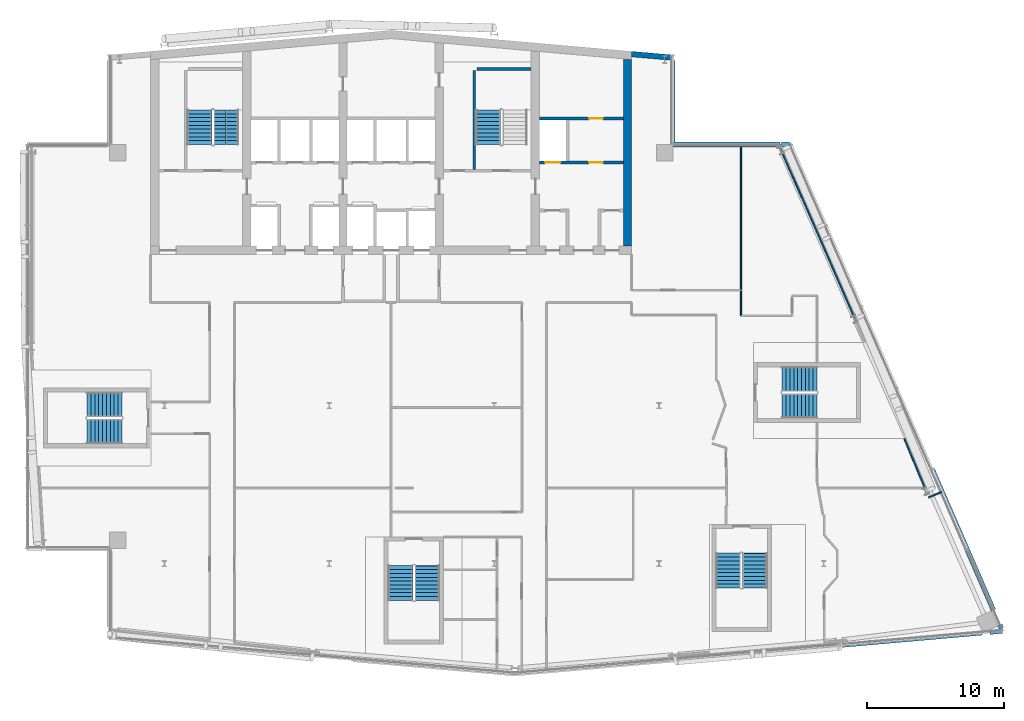
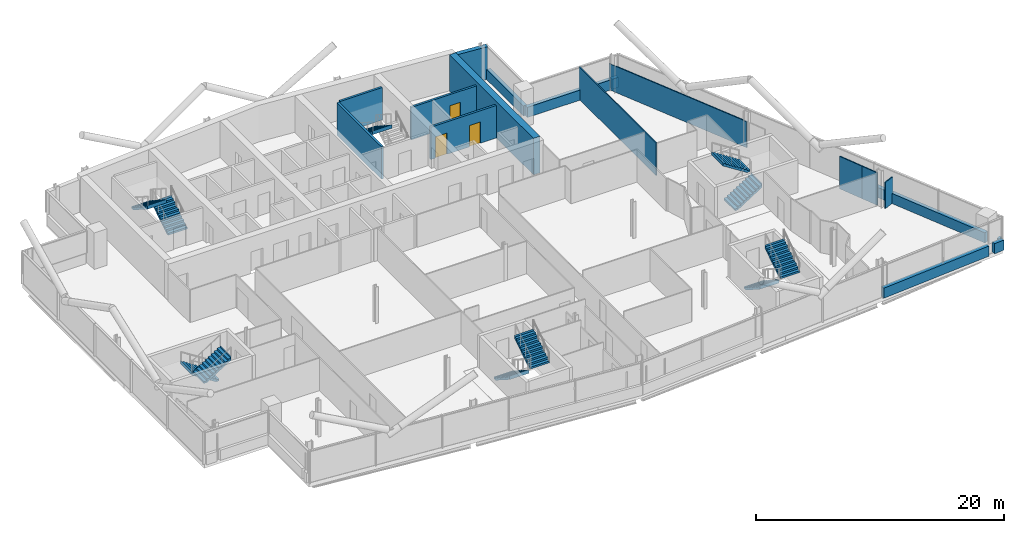
# One storey, part 20 of 28: 18 walls, 11 stair flights, 3 doors, 3 openings, 6 elements without a shape of their own.
"""IFC4 building model written with IfcOpenShell, lengths in metres."""

from ifc_helpers import new_model, si_unit, direction, frame, frame_2d, origin, place, context, subcontext, project, spatial, polyline, rectangle, outline, extrude, material, layer, layer_set, type_object, element, fill, aggregate, save


model = new_model("IFC4")

# Units and contexts
model_context = context("Model", 3, precision=1e-05, world=origin(), true_north=direction((0.0, 1.0)))
body_context = subcontext(model_context, "Body", "Model", "MODEL_VIEW")
ifc_project = project(units=[si_unit("LENGTHUNIT", "METRE"), si_unit("AREAUNIT", "SQUARE_METRE"), si_unit("VOLUMEUNIT", "CUBIC_METRE"), si_unit("PLANEANGLEUNIT", "RADIAN"), si_unit("MASSUNIT", "GRAM", prefix="KILO")], contexts=[model_context])

# Site, building, storey
site_placement = place(None, origin())
site = spatial("IfcSite", under=ifc_project, at=site_placement, CompositionType="ELEMENT")
building_placement = place(site_placement, origin())
building = spatial("IfcBuilding", under=site, at=building_placement, Name="Wharfspan Tower", CompositionType="ELEMENT")
storey_placement = place(building_placement, frame((0.0, 0.0, 253.899902)))
storey = spatial("IfcBuildingStorey", under=building, at=storey_placement, Name="L64", CompositionType="ELEMENT", Elevation=253.899902)

# Walls
ifc_material_1 = material(Name="Gypsum board on steel studs", Category="steel")
ifc_layer_1 = layer(ifc_material_1, 0.100098)
ifc_layer_set_1 = layer_set([ifc_layer_1], Name="Gypsum board on steel studs")
wall_type_1 = type_object("IfcWallType", Name="Compartment wall 100 EI 60", PredefinedType="PARTITIONING", material=ifc_layer_set_1)
wall_1_placement = place(storey_placement, frame((65.969971, 29.544922, 0.0), z_axis=(0.0, 0.0, 1.0), x_axis=(0.0, 1.0, 0.0)))
element("IfcWall", 1, at=wall_1_placement, inside=storey, type_object=wall_type_1, Name="Partition L64.w050", PredefinedType="PARTITIONING", context=body_context, shape_type="SweptSolid", body=[
    extrude(rectangle(XDim=12.435059, YDim=0.100098, at=frame_2d((6.217529, 0.0))), origin(), (0.0, 0.0, 1.0), 3.200195),
])
ifc_material_2 = material(Name="Concrete C50/60", Category="concrete")
ifc_layer_2 = layer(ifc_material_2, 0.600098)
ifc_layer_set_2 = layer_set([ifc_layer_2], Name="Concrete C50/60")
wall_type_2 = type_object("IfcWallType", Name="Core wall 600 C50/60", PredefinedType="SHEAR", material=ifc_layer_set_2)
wall_2_placement = place(storey_placement, frame((57.699951, 34.600098, 0.0), z_axis=(0.0, 0.0, 1.0), x_axis=(0.0, 1.0, 0.0)))
element("IfcWall", 2, at=wall_2_placement, inside=storey, type_object=wall_type_2, Name="Core cross wall EW1 L64", PredefinedType="SHEAR", context=body_context, shape_type="SweptSolid", body=[
    extrude(rectangle(XDim=13.584961, YDim=0.600098, at=frame_2d((6.79248, 0.0))), origin(), (0.0, 0.0, 1.0), 3.600098),
])

# Wall, openings, doors
ifc_material_3 = material(Name="Concrete C30/37", Category="concrete")
ifc_layer_3 = layer(ifc_material_3, 0.199951)
ifc_layer_set_3 = layer_set([ifc_layer_3], Name="Concrete C30/37")
wall_type_3 = type_object("IfcWallType", Name="Lift shaft wall 200", PredefinedType="PARTITIONING", material=ifc_layer_set_3)
wall_3_placement = place(storey_placement, frame((51.300049, 40.699951, 0.0), z_axis=(0.0, 0.0, 1.0), x_axis=(1.0, 0.0, 0.0)))
wall_3 = element("IfcWall", 3, at=wall_3_placement, inside=storey, type_object=wall_type_3, Name="sw:L64:RF6", PredefinedType="PARTITIONING", context=body_context, shape_type="SweptSolid", body=[
    extrude(rectangle(XDim=6.099854, YDim=0.199951, at=frame_2d((3.049805, 0.0))), origin(), (0.0, 0.0, 1.0), 3.200195),
])
opening_1_placement = place(wall_3_placement, frame((0.416748, 0.0, 0.0)))
opening_1 = element("IfcOpeningElement", 4, at=opening_1_placement, cuts=wall_3, Name="Opening LD.LB8.L64", PredefinedType="OPENING", context=body_context, shape_type="SweptSolid", body=[
    extrude(rectangle(XDim=1.100098, YDim=2.100098, at=frame_2d((0.550049, 1.050049))), frame((0.0, 0.109863, 0.0), z_axis=(0.0, -1.0, 0.0), x_axis=(1.0, 0.0, 0.0)), (0.0, 0.0, 1.0), 0.219971),
])
opening_2_placement = place(wall_3_placement, frame((3.616699, 0.0, 0.0)))
opening_2 = element("IfcOpeningElement", 5, at=opening_2_placement, cuts=wall_3, Name="Opening CD64.6R2", PredefinedType="OPENING", context=body_context, shape_type="SweptSolid", body=[
    extrude(rectangle(XDim=1.0, YDim=2.100098, at=frame_2d((0.5, 1.050049))), frame((0.0, 0.109863, 0.0), z_axis=(0.0, -1.0, 0.0), x_axis=(1.0, 0.0, 0.0)), (0.0, 0.0, 1.0), 0.219971),
])
ifc_material_4 = material(Name="Steel door leaf", Category="steel")
door_type_1 = type_object("IfcDoorType", Name="Core room door 1000x2100", OperationType="SINGLE_SWING_LEFT", PredefinedType="DOOR", material=ifc_material_4)
door_1_placement = place(opening_2_placement, origin())
door_1 = element("IfcDoor", 6, at=door_1_placement, inside=storey, type_object=door_type_1, Name="d:L64:6:rd6.2", OperationType="SINGLE_SWING_RIGHT", OverallHeight=2.100098, OverallWidth=1.0, PredefinedType="DOOR", context=body_context, shape_type="SweptSolid", body=[
    extrude(rectangle(XDim=1.0, YDim=2.100098, at=frame_2d((0.5, 1.050049))), frame((0.0, 0.024902, 0.0), z_axis=(0.0, -1.0, 0.0), x_axis=(1.0, 0.0, 0.0)), (0.0, 0.0, 1.0), 0.050049),
])
fill(opening_2, door_1)
ifc_material_5 = material(Name="Stainless steel", Category="steel")
door_type_2 = type_object("IfcDoorType", Name="Lift landing door 1100x2100", OperationType="DOUBLE_DOOR_SLIDING", PredefinedType="DOOR", material=ifc_material_5)
door_2_placement = place(opening_1_placement, origin())
door_2 = element("IfcDoor", 7, at=door_2_placement, inside=storey, type_object=door_type_2, Name="Landing door LB8 L64", OperationType="DOUBLE_DOOR_SLIDING", OverallHeight=2.100098, OverallWidth=1.100098, PredefinedType="DOOR", context=body_context, shape_type="SweptSolid", body=[
    extrude(rectangle(XDim=1.100098, YDim=2.100098, at=frame_2d((0.550049, 1.050049))), frame((0.0, 0.024902, 0.0), z_axis=(0.0, -1.0, 0.0), x_axis=(1.0, 0.0, 0.0)), (0.0, 0.0, 1.0), 0.050049),
])
fill(opening_1, door_2)

# Wall, opening, door
wall_4_placement = place(storey_placement, frame((51.300049, 43.899902, 0.0), z_axis=(0.0, 0.0, 1.0), x_axis=(1.0, 0.0, 0.0)))
wall_4 = element("IfcWall", 8, at=wall_4_placement, inside=storey, type_object=wall_type_3, Name="sw:L64:RR6", PredefinedType="PARTITIONING", context=body_context, shape_type="SweptSolid", body=[
    extrude(rectangle(XDim=6.099854, YDim=0.199951, at=frame_2d((3.049805, 0.0))), origin(), (0.0, 0.0, 1.0), 3.200195),
])
opening_3_placement = place(wall_4_placement, frame((3.616699, 0.0, 0.0)))
opening_3 = element("IfcOpeningElement", 9, at=opening_3_placement, cuts=wall_4, Name="Opening CD64.6S2", PredefinedType="OPENING", context=body_context, shape_type="SweptSolid", body=[
    extrude(rectangle(XDim=1.0, YDim=2.100098, at=frame_2d((0.5, 1.050049))), frame((0.0, 0.109863, 0.0), z_axis=(0.0, -1.0, 0.0), x_axis=(1.0, 0.0, 0.0)), (0.0, 0.0, 1.0), 0.219971),
])
door_3_placement = place(opening_3_placement, origin())
door_3 = element("IfcDoor", 10, at=door_3_placement, inside=storey, type_object=door_type_1, Name="d:L64:6:rs6.2", OperationType="SINGLE_SWING_LEFT", OverallHeight=2.100098, OverallWidth=1.0, PredefinedType="DOOR", context=body_context, shape_type="SweptSolid", body=[
    extrude(rectangle(XDim=1.0, YDim=2.100098, at=frame_2d((0.5, 1.050049))), frame((0.0, 0.024902, 0.0), z_axis=(0.0, -1.0, 0.0), x_axis=(1.0, 0.0, 0.0)), (0.0, 0.0, 1.0), 0.050049),
])
fill(opening_3, door_3)

# Walls
ifc_layer_4 = layer(ifc_material_1, 0.100098)
ifc_layer_set_4 = layer_set([ifc_layer_4], Name="Gypsum board on steel studs")
wall_type_4 = type_object("IfcWallType", Name="Partition 100", PredefinedType="PARTITIONING", material=ifc_layer_set_4)
wall_5_placement = place(storey_placement, frame((74.264893, 29.310059, 0.0), z_axis=(0.0, 0.0, 1.0), x_axis=(-0.400709, 0.916209, 0.0)))
element("IfcWall", 11, at=wall_5_placement, inside=storey, type_object=wall_type_4, Name="Partition L64.w066", PredefinedType="PARTITIONING", context=body_context, shape_type="SweptSolid", body=[
    extrude(rectangle(XDim=13.828613, YDim=0.100098, at=frame_2d((6.914307, 0.0))), origin(), (0.0, 0.0, 1.0), 2.580078),
])
wall_6_placement = place(storey_placement, frame((78.75, 18.445068, 0.0), z_axis=(0.0, 0.0, 1.0), x_axis=(-0.381663, 0.924299, 0.0)))
element("IfcWall", 12, at=wall_6_placement, inside=storey, type_object=wall_type_4, Name="Partition L64.w068", PredefinedType="PARTITIONING", context=body_context, shape_type="SweptSolid", body=[
    extrude(rectangle(XDim=2.309814, YDim=0.100098, at=frame_2d((1.154785, 0.0))), origin(), (0.0, 0.0, 1.0), 3.200195),
])
wall_7_placement = place(storey_placement, frame((79.350098, 17.004883, 0.0), z_axis=(0.0, 0.0, 1.0), x_axis=(-0.383703, 0.923459, 0.0)))
element("IfcWall", 13, at=wall_7_placement, inside=storey, type_object=wall_type_4, Name="Partition L64.w069", PredefinedType="PARTITIONING", context=body_context, shape_type="SweptSolid", body=[
    extrude(rectangle(XDim=1.537842, YDim=0.100098, at=frame_2d((0.769043, 0.0))), origin(), (0.0, 0.0, 1.0), 3.200195),
])
wall_8_placement = place(storey_placement, frame((79.629883, 16.314941, 0.0), z_axis=(0.0, 0.0, 1.0), x_axis=(0.918616, 0.395147, 0.0)))
element("IfcWall", 14, at=wall_8_placement, inside=storey, type_object=wall_type_4, Name="Partition L64.w070", PredefinedType="PARTITIONING", context=body_context, shape_type="SweptSolid", body=[
    extrude(rectangle(XDim=1.03125, YDim=0.100098, at=frame_2d((0.515625, 0.0))), origin(), (0.0, 0.0, 1.0), 2.580078),
])
ifc_material_6 = material(Name="Concrete C40/50", Category="concrete")
ifc_layer_5 = layer(ifc_material_6, 0.350098)
ifc_layer_set_5 = layer_set([ifc_layer_5], Name="Concrete C40/50")
wall_type_5 = type_object("IfcWallType", Name="SPANDREL EXPOSED CONCRETE 350", PredefinedType="SOLIDWALL", material=ifc_layer_set_5)
wall_9_placement = place(storey_placement, frame((73.197021, 5.562256, 0.0), z_axis=(0.0, 0.0, 1.0), x_axis=(0.996198, 0.087163, 0.0)))
element("IfcWall", 15, at=wall_9_placement, inside=storey, type_object=wall_type_5, Name="Spandrel upstand L64 S2 2", PredefinedType="SOLIDWALL", context=body_context, shape_type="SweptSolid", body=[
    extrude(rectangle(XDim=10.35791, YDim=0.350098, at=frame_2d((5.178955, 0.0))), origin(), (0.0, 0.0, 1.0), 1.0),
])
wall_10_placement = place(storey_placement, frame((84.077637, 6.514404, 0.0), z_axis=(0.0, 0.0, 1.0), x_axis=(0.996213, 0.086971, 0.0)))
element("IfcWall", 16, at=wall_10_placement, inside=storey, type_object=wall_type_5, Name="Spandrel upstand L64 S2 3", PredefinedType="SOLIDWALL", context=body_context, shape_type="SweptSolid", body=[
    extrude(rectangle(XDim=0.92627, YDim=0.350098, at=frame_2d((0.463135, 0.0))), origin(), (0.0, 0.0, 1.0), 1.0),
])
wall_11_placement = place(storey_placement, frame((84.9104, 6.818604, 0.0), z_axis=(0.0, 0.0, 1.0), x_axis=(-0.398359, 0.91723, 0.0)))
element("IfcWall", 17, at=wall_11_placement, inside=storey, type_object=wall_type_5, Name="Spandrel upstand L64 E", PredefinedType="SOLIDWALL", context=body_context, shape_type="SweptSolid", body=[
    extrude(rectangle(XDim=0.21875, YDim=0.350098, at=frame_2d((0.109375, 0.0))), origin(), (0.0, 0.0, 1.0), 1.0),
])
wall_12_placement = place(storey_placement, frame((84.344727, 8.119873, 0.0), z_axis=(0.0, 0.0, 1.0), x_axis=(-0.398721, 0.917067, 0.0)))
element("IfcWall", 18, at=wall_12_placement, inside=storey, type_object=wall_type_5, Name="Spandrel upstand L64 E 2", PredefinedType="SOLIDWALL", context=body_context, shape_type="SweptSolid", body=[
    extrude(rectangle(XDim=11.181885, YDim=0.350098, at=frame_2d((5.59082, 0.0))), origin(), (0.0, 0.0, 1.0), 1.0),
])
wall_13_placement = place(storey_placement, frame((69.498535, 42.004883, 0.0), z_axis=(0.0, 0.0, 1.0), x_axis=(-1.0, 0.0, 0.0)))
element("IfcWall", 19, at=wall_13_placement, inside=storey, type_object=wall_type_5, Name="Spandrel upstand L64 NRE-H", PredefinedType="SOLIDWALL", context=body_context, shape_type="SweptSolid", body=[
    extrude(rectangle(XDim=0.57666, YDim=0.350098, at=frame_2d((0.28833, 0.0))), origin(), (0.0, 0.0, 1.0), 1.0),
])
wall_14_placement = place(storey_placement, frame((68.803467, 42.004883, 0.0), z_axis=(0.0, 0.0, 1.0), x_axis=(-1.0, 0.0, 0.0)))
element("IfcWall", 20, at=wall_14_placement, inside=storey, type_object=wall_type_5, Name="Spandrel upstand L64 NRE-H 2", PredefinedType="SOLIDWALL", context=body_context, shape_type="SweptSolid", body=[
    extrude(rectangle(XDim=7.803467, YDim=0.350098, at=frame_2d((3.901855, 0.0))), origin(), (0.0, 0.0, 1.0), 1.0),
])
wall_15_placement = place(storey_placement, frame((61.004883, 42.179932, 0.0), z_axis=(0.0, 0.0, 1.0), x_axis=(0.0, 1.0, 0.0)))
element("IfcWall", 21, at=wall_15_placement, inside=storey, type_object=wall_type_5, Name="Spandrel upstand L64 NRE-V", PredefinedType="SOLIDWALL", context=body_context, shape_type="SweptSolid", body=[
    extrude(rectangle(XDim=5.946533, YDim=0.350098, at=frame_2d((2.973145, 0.0))), origin(), (0.0, 0.0, 1.0), 1.0),
])
ifc_layer_6 = layer(ifc_material_6, 0.199951)
ifc_layer_set_6 = layer_set([ifc_layer_6], Name="Concrete C40/50")
wall_type_6 = type_object("IfcWallType", Name="Stair shaft wall 200", PredefinedType="SHEAR", material=ifc_layer_set_6)
wall_16_placement = place(storey_placement, frame((46.550049, 40.199951, 0.0), z_axis=(0.0, 0.0, 1.0), x_axis=(0.0, 1.0, 0.0)))
element("IfcWall", 22, at=wall_16_placement, inside=storey, type_object=wall_type_6, Name="ST2 stair enclosure wall L64", PredefinedType="SHEAR", context=body_context, shape_type="SweptSolid", body=[
    extrude(rectangle(XDim=7.199951, YDim=0.199951, at=frame_2d((3.600098, 0.0))), origin(), (0.0, 0.0, 1.0), 3.200195),
])
wall_17_placement = place(storey_placement, frame((46.75, 47.5, 0.0), z_axis=(0.0, 0.0, 1.0), x_axis=(1.0, 0.0, 0.0)))
element("IfcWall", 23, at=wall_17_placement, inside=storey, type_object=wall_type_6, Name="ST2 stair enclosure wall L64", PredefinedType="SHEAR", context=body_context, shape_type="SweptSolid", body=[
    extrude(rectangle(XDim=3.949951, YDim=0.199951, at=frame_2d((1.975098, 0.0))), origin(), (0.0, 0.0, 1.0), 3.200195),
])
ifc_layer_7 = layer(ifc_material_6, 0.399902)
ifc_layer_set_7 = layer_set([ifc_layer_7], Name="Concrete C40/50")
wall_type_7 = type_object("IfcWallType", Name="WALL EXPOSED CONCRETE 400", PredefinedType="SOLIDWALL", material=ifc_layer_set_7)
wall_18_placement = place(storey_placement, frame((60.982666, 48.325684, 0.0), z_axis=(0.0, 0.0, 1.0), x_axis=(-0.996194, 0.087168, 0.0)))
element("IfcWall", 24, at=wall_18_placement, inside=storey, type_object=wall_type_7, Name="Rear wall N2", PredefinedType="SOLIDWALL", context=body_context, shape_type="SweptSolid", body=[
    extrude(rectangle(XDim=2.994141, YDim=0.399902, at=frame_2d((1.49707, 0.0))), origin(), (0.0, 0.0, 1.0), 3.200195),
])

# Stair, stair flights
stair_type = type_object("IfcStairType", Name="Half-turn stair 20 risers 180 mm", PredefinedType="HALF_TURN_STAIR", material=ifc_material_6)
stair_1_placement = place(storey_placement, origin())
stair_1 = element("IfcStair", 25, at=stair_1_placement, inside=storey, type_object=stair_type, Name="L64 stair ST1", PredefinedType="HALF_TURN_STAIR")
stair_flight_type = type_object("IfcStairFlightType", Name="Stair flight 20 risers 180 mm", PredefinedType="STRAIGHT", material=ifc_material_6)
stair_flight_1_placement = place(storey_placement, frame((28.5, 42.0, 0.0), z_axis=(0.0, 0.0, 1.0), x_axis=(0.0, 1.0, 0.0)))
stair_flight_1 = element("IfcStairFlight", 26, at=stair_flight_1_placement, type_object=stair_flight_type, Name="ST1 flight 1", NumberOfRisers=10, NumberOfTreads=9, PredefinedType="STRAIGHT", RiserHeight=0.18, TreadLength=0.28, context=body_context, shape_type="SweptSolid", body=[
    extrude(outline(polyline([(-0.011963, 0.0), (-0.011963, 0.179932), (0.0, 0.179932), (0.280029, 0.179932), (0.280029, 0.360107), (0.560059, 0.360107), (0.560059, 0.540039), (0.840088, 0.540039), (0.840088, 0.719971), (1.120117, 0.719971), (1.120117, 0.899902), (1.399902, 0.899902), (1.399902, 1.080078), (1.679932, 1.080078), (1.679932, 1.26001), (1.959961, 1.26001), (1.959961, 1.439941), (2.23999, 1.439941), (2.23999, 1.620117), (2.52002, 1.620117), (2.531982, 1.800049), (2.531982, 1.441895), (0.2771, 0.0), (-0.011963, 0.0)])), frame((0.0, 0.899902, 0.0), z_axis=(0.0, -1.0, 0.0), x_axis=(1.0, 0.0, 0.0)), (0.0, 0.0, 1.0), 0.899414),
    extrude(outline(polyline([(-0.011963, 0.0), (-0.011963, 0.179932), (0.0, 0.179932), (0.280029, 0.179932), (0.280029, 0.360107), (0.560059, 0.360107), (0.560059, 0.540039), (0.840088, 0.540039), (0.840088, 0.719971), (1.120117, 0.719971), (1.120117, 0.899902), (1.399902, 0.899902), (1.399902, 1.080078), (1.679932, 1.080078), (1.679932, 1.26001), (1.959961, 1.26001), (1.959961, 1.439941), (2.23999, 1.439941), (2.23999, 1.620117), (2.52002, 1.620117), (2.531982, 1.800049), (2.531982, 1.441895), (0.2771, 0.0), (-0.011963, 0.0)])), frame((0.0, -0.000488, 0.0), z_axis=(0.0, -1.0, 0.0), x_axis=(1.0, 0.0, 0.0)), (0.0, 0.0, 1.0), 0.899414),
])
stair_flight_2_placement = place(storey_placement, frame((26.550049, 44.52002, 1.800049), z_axis=(0.0, 0.0, 1.0), x_axis=(0.0, -1.0, 0.0)))
stair_flight_2 = element("IfcStairFlight", 27, at=stair_flight_2_placement, type_object=stair_flight_type, Name="ST1 flight 2", NumberOfRisers=10, NumberOfTreads=9, PredefinedType="STRAIGHT", RiserHeight=0.18, TreadLength=0.28, context=body_context, shape_type="SweptSolid", body=[
    extrude(outline(polyline([(-0.011963, 0.0), (-0.011963, 0.179932), (0.0, 0.179932), (0.280029, 0.179932), (0.280029, 0.360107), (0.560059, 0.360107), (0.560059, 0.540039), (0.840088, 0.540039), (0.840088, 0.719971), (1.120117, 0.719971), (1.120117, 0.899902), (1.399902, 0.899902), (1.399902, 1.080078), (1.679932, 1.080078), (1.679932, 1.26001), (1.959961, 1.26001), (1.959961, 1.439941), (2.23999, 1.439941), (2.23999, 1.620117), (2.52002, 1.620117), (2.531982, 1.800049), (2.531982, 1.441895), (0.2771, 0.0), (-0.011963, 0.0)])), frame((0.0, 0.899902, 0.0), z_axis=(0.0, -1.0, 0.0), x_axis=(1.0, 0.0, 0.0)), (0.0, 0.0, 1.0), 0.899414),
    extrude(outline(polyline([(-0.011963, 0.0), (-0.011963, 0.179932), (0.0, 0.179932), (0.280029, 0.179932), (0.280029, 0.360107), (0.560059, 0.360107), (0.560059, 0.540039), (0.840088, 0.540039), (0.840088, 0.719971), (1.120117, 0.719971), (1.120117, 0.899902), (1.399902, 0.899902), (1.399902, 1.080078), (1.679932, 1.080078), (1.679932, 1.26001), (1.959961, 1.26001), (1.959961, 1.439941), (2.23999, 1.439941), (2.23999, 1.620117), (2.52002, 1.620117), (2.531982, 1.800049), (2.531982, 1.441895), (0.2771, 0.0), (-0.011963, 0.0)])), frame((0.0, -0.000488, 0.0), z_axis=(0.0, -1.0, 0.0), x_axis=(1.0, 0.0, 0.0)), (0.0, 0.0, 1.0), 0.899414),
])
aggregate(stair_1, [stair_flight_1, stair_flight_2])

# Stair, stair flight
stair_2_placement = place(storey_placement, origin())
stair_2 = element("IfcStair", 28, at=stair_2_placement, inside=storey, type_object=stair_type, Name="L64 stair ST2", PredefinedType="HALF_TURN_STAIR")
stair_flight_3_placement = place(storey_placement, frame((47.550049, 44.52002, 1.800049), z_axis=(0.0, 0.0, 1.0), x_axis=(0.0, -1.0, 0.0)))
stair_flight_3 = element("IfcStairFlight", 29, at=stair_flight_3_placement, type_object=stair_flight_type, Name="ST2 flight 2", NumberOfRisers=10, NumberOfTreads=9, PredefinedType="STRAIGHT", RiserHeight=0.18, TreadLength=0.28, context=body_context, shape_type="SweptSolid", body=[
    extrude(outline(polyline([(-0.011963, 0.0), (-0.011963, 0.179932), (0.0, 0.179932), (0.280029, 0.179932), (0.280029, 0.360107), (0.560059, 0.360107), (0.560059, 0.540039), (0.840088, 0.540039), (0.840088, 0.719971), (1.120117, 0.719971), (1.120117, 0.899902), (1.399902, 0.899902), (1.399902, 1.080078), (1.679932, 1.080078), (1.679932, 1.26001), (1.959961, 1.26001), (1.959961, 1.439941), (2.23999, 1.439941), (2.23999, 1.620117), (2.52002, 1.620117), (2.531982, 1.800049), (2.531982, 1.441895), (0.2771, 0.0), (-0.011963, 0.0)])), frame((0.0, 0.899902, 0.0), z_axis=(0.0, -1.0, 0.0), x_axis=(1.0, 0.0, 0.0)), (0.0, 0.0, 1.0), 0.899414),
    extrude(outline(polyline([(-0.011963, 0.0), (-0.011963, 0.179932), (0.0, 0.179932), (0.280029, 0.179932), (0.280029, 0.360107), (0.560059, 0.360107), (0.560059, 0.540039), (0.840088, 0.540039), (0.840088, 0.719971), (1.120117, 0.719971), (1.120117, 0.899902), (1.399902, 0.899902), (1.399902, 1.080078), (1.679932, 1.080078), (1.679932, 1.26001), (1.959961, 1.26001), (1.959961, 1.439941), (2.23999, 1.439941), (2.23999, 1.620117), (2.52002, 1.620117), (2.531982, 1.800049), (2.531982, 1.441895), (0.2771, 0.0), (-0.011963, 0.0)])), frame((0.0, -0.000488, 0.0), z_axis=(0.0, -1.0, 0.0), x_axis=(1.0, 0.0, 0.0)), (0.0, 0.0, 1.0), 0.899414),
])
aggregate(stair_2, [stair_flight_3])

# Stair, stair flights
stair_3_placement = place(storey_placement, origin())
stair_3 = element("IfcStair", 30, at=stair_3_placement, inside=storey, type_object=stair_type, Name="L64 stair ST3", PredefinedType="HALF_TURN_STAIR")
stair_flight_4_placement = place(storey_placement, frame((20.899902, 23.074951, 0.0), z_axis=(0.0, 0.0, 1.0), x_axis=(-1.0, 0.0, 0.0)))
stair_flight_4 = element("IfcStairFlight", 31, at=stair_flight_4_placement, type_object=stair_flight_type, Name="ST3 flight 1", NumberOfRisers=10, NumberOfTreads=9, PredefinedType="STRAIGHT", RiserHeight=0.18, TreadLength=0.28, context=body_context, shape_type="SweptSolid", body=[
    extrude(outline(polyline([(-0.011963, 0.0), (-0.011963, 0.179932), (0.0, 0.179932), (0.280029, 0.179932), (0.280029, 0.360107), (0.560059, 0.360107), (0.560059, 0.540039), (0.840088, 0.540039), (0.840088, 0.719971), (1.120117, 0.719971), (1.120117, 0.899902), (1.399902, 0.899902), (1.399902, 1.080078), (1.679932, 1.080078), (1.679932, 1.26001), (1.959961, 1.26001), (1.959961, 1.439941), (2.23999, 1.439941), (2.23999, 1.620117), (2.52002, 1.620117), (2.531982, 1.800049), (2.531982, 1.441895), (0.2771, 0.0), (-0.011963, 0.0)])), frame((0.0, 0.899902, 0.0), z_axis=(0.0, -1.0, 0.0), x_axis=(1.0, 0.0, 0.0)), (0.0, 0.0, 1.0), 0.899414),
    extrude(outline(polyline([(-0.011963, 0.0), (-0.011963, 0.179932), (0.0, 0.179932), (0.280029, 0.179932), (0.280029, 0.360107), (0.560059, 0.360107), (0.560059, 0.540039), (0.840088, 0.540039), (0.840088, 0.719971), (1.120117, 0.719971), (1.120117, 0.899902), (1.399902, 0.899902), (1.399902, 1.080078), (1.679932, 1.080078), (1.679932, 1.26001), (1.959961, 1.26001), (1.959961, 1.439941), (2.23999, 1.439941), (2.23999, 1.620117), (2.52002, 1.620117), (2.531982, 1.800049), (2.531982, 1.441895), (0.2771, 0.0), (-0.011963, 0.0)])), frame((0.0, -0.000488, 0.0), z_axis=(0.0, -1.0, 0.0), x_axis=(1.0, 0.0, 0.0)), (0.0, 0.0, 1.0), 0.899414),
])
stair_flight_5_placement = place(storey_placement, frame((18.379883, 21.125, 1.800049), z_axis=(0.0, 0.0, 1.0), x_axis=(1.0, 0.0, 0.0)))
stair_flight_5 = element("IfcStairFlight", 32, at=stair_flight_5_placement, type_object=stair_flight_type, Name="ST3 flight 2", NumberOfRisers=10, NumberOfTreads=9, PredefinedType="STRAIGHT", RiserHeight=0.18, TreadLength=0.28, context=body_context, shape_type="SweptSolid", body=[
    extrude(outline(polyline([(-0.011963, 0.0), (-0.011963, 0.179932), (0.0, 0.179932), (0.280029, 0.179932), (0.280029, 0.360107), (0.560059, 0.360107), (0.560059, 0.540039), (0.840088, 0.540039), (0.840088, 0.719971), (1.120117, 0.719971), (1.120117, 0.899902), (1.399902, 0.899902), (1.399902, 1.080078), (1.679932, 1.080078), (1.679932, 1.26001), (1.959961, 1.26001), (1.959961, 1.439941), (2.23999, 1.439941), (2.23999, 1.620117), (2.52002, 1.620117), (2.531982, 1.800049), (2.531982, 1.441895), (0.2771, 0.0), (-0.011963, 0.0)])), frame((0.0, 0.899902, 0.0), z_axis=(0.0, -1.0, 0.0), x_axis=(1.0, 0.0, 0.0)), (0.0, 0.0, 1.0), 0.899414),
    extrude(outline(polyline([(-0.011963, 0.0), (-0.011963, 0.179932), (0.0, 0.179932), (0.280029, 0.179932), (0.280029, 0.360107), (0.560059, 0.360107), (0.560059, 0.540039), (0.840088, 0.540039), (0.840088, 0.719971), (1.120117, 0.719971), (1.120117, 0.899902), (1.399902, 0.899902), (1.399902, 1.080078), (1.679932, 1.080078), (1.679932, 1.26001), (1.959961, 1.26001), (1.959961, 1.439941), (2.23999, 1.439941), (2.23999, 1.620117), (2.52002, 1.620117), (2.531982, 1.800049), (2.531982, 1.441895), (0.2771, 0.0), (-0.011963, 0.0)])), frame((0.0, -0.000488, 0.0), z_axis=(0.0, -1.0, 0.0), x_axis=(1.0, 0.0, 0.0)), (0.0, 0.0, 1.0), 0.899414),
])
aggregate(stair_3, [stair_flight_4, stair_flight_5])

stair_4_placement = place(storey_placement, origin())
stair_4 = element("IfcStair", 33, at=stair_4_placement, inside=storey, type_object=stair_type, Name="L64 stair ST4", PredefinedType="HALF_TURN_STAIR")
stair_flight_6_placement = place(storey_placement, frame((41.177002, 11.343262, 0.0), z_axis=(0.0, 0.0, 1.0), x_axis=(0.0, -1.0, 0.0)))
stair_flight_6 = element("IfcStairFlight", 34, at=stair_flight_6_placement, type_object=stair_flight_type, Name="ST4 flight 1", NumberOfRisers=10, NumberOfTreads=9, PredefinedType="STRAIGHT", RiserHeight=0.18, TreadLength=0.28, context=body_context, shape_type="SweptSolid", body=[
    extrude(outline(polyline([(-0.011963, 0.0), (-0.011963, 0.179932), (0.0, 0.179932), (0.280029, 0.179932), (0.280029, 0.360107), (0.560059, 0.360107), (0.560059, 0.540039), (0.840088, 0.540039), (0.840088, 0.719971), (1.120117, 0.719971), (1.120117, 0.899902), (1.399902, 0.899902), (1.399902, 1.080078), (1.679932, 1.080078), (1.679932, 1.26001), (1.959961, 1.26001), (1.959961, 1.439941), (2.23999, 1.439941), (2.23999, 1.620117), (2.52002, 1.620117), (2.531982, 1.800049), (2.531982, 1.441895), (0.2771, 0.0), (-0.011963, 0.0)])), frame((0.0, 0.899902, 0.0), z_axis=(0.0, -1.0, 0.0), x_axis=(1.0, 0.0, 0.0)), (0.0, 0.0, 1.0), 0.899414),
    extrude(outline(polyline([(-0.011963, 0.0), (-0.011963, 0.179932), (0.0, 0.179932), (0.280029, 0.179932), (0.280029, 0.360107), (0.560059, 0.360107), (0.560059, 0.540039), (0.840088, 0.540039), (0.840088, 0.719971), (1.120117, 0.719971), (1.120117, 0.899902), (1.399902, 0.899902), (1.399902, 1.080078), (1.679932, 1.080078), (1.679932, 1.26001), (1.959961, 1.26001), (1.959961, 1.439941), (2.23999, 1.439941), (2.23999, 1.620117), (2.52002, 1.620117), (2.531982, 1.800049), (2.531982, 1.441895), (0.2771, 0.0), (-0.011963, 0.0)])), frame((0.0, -0.000488, 0.0), z_axis=(0.0, -1.0, 0.0), x_axis=(1.0, 0.0, 0.0)), (0.0, 0.0, 1.0), 0.899414),
])
stair_flight_7_placement = place(storey_placement, frame((43.127197, 8.823242, 1.800049), z_axis=(0.0, 0.0, 1.0), x_axis=(0.0, 1.0, 0.0)))
stair_flight_7 = element("IfcStairFlight", 35, at=stair_flight_7_placement, type_object=stair_flight_type, Name="ST4 flight 2", NumberOfRisers=10, NumberOfTreads=9, PredefinedType="STRAIGHT", RiserHeight=0.18, TreadLength=0.28, context=body_context, shape_type="SweptSolid", body=[
    extrude(outline(polyline([(-0.011963, 0.0), (-0.011963, 0.179932), (0.0, 0.179932), (0.280029, 0.179932), (0.280029, 0.360107), (0.560059, 0.360107), (0.560059, 0.540039), (0.840088, 0.540039), (0.840088, 0.719971), (1.120117, 0.719971), (1.120117, 0.899902), (1.399902, 0.899902), (1.399902, 1.080078), (1.679932, 1.080078), (1.679932, 1.26001), (1.959961, 1.26001), (1.959961, 1.439941), (2.23999, 1.439941), (2.23999, 1.620117), (2.52002, 1.620117), (2.531982, 1.800049), (2.531982, 1.441895), (0.2771, 0.0), (-0.011963, 0.0)])), frame((0.0, 0.899902, 0.0), z_axis=(0.0, -1.0, 0.0), x_axis=(1.0, 0.0, 0.0)), (0.0, 0.0, 1.0), 0.899414),
    extrude(outline(polyline([(-0.011963, 0.0), (-0.011963, 0.179932), (0.0, 0.179932), (0.280029, 0.179932), (0.280029, 0.360107), (0.560059, 0.360107), (0.560059, 0.540039), (0.840088, 0.540039), (0.840088, 0.719971), (1.120117, 0.719971), (1.120117, 0.899902), (1.399902, 0.899902), (1.399902, 1.080078), (1.679932, 1.080078), (1.679932, 1.26001), (1.959961, 1.26001), (1.959961, 1.439941), (2.23999, 1.439941), (2.23999, 1.620117), (2.52002, 1.620117), (2.531982, 1.800049), (2.531982, 1.441895), (0.2771, 0.0), (-0.011963, 0.0)])), frame((0.0, -0.000488, 0.0), z_axis=(0.0, -1.0, 0.0), x_axis=(1.0, 0.0, 0.0)), (0.0, 0.0, 1.0), 0.899414),
])
aggregate(stair_4, [stair_flight_6, stair_flight_7])

stair_5_placement = place(storey_placement, origin())
stair_5 = element("IfcStair", 36, at=stair_5_placement, inside=storey, type_object=stair_type, Name="L64 stair ST5", PredefinedType="HALF_TURN_STAIR")
stair_flight_8_placement = place(storey_placement, frame((65.043701, 12.246094, 0.0), z_axis=(0.0, 0.0, 1.0), x_axis=(0.0, -1.0, 0.0)))
stair_flight_8 = element("IfcStairFlight", 37, at=stair_flight_8_placement, type_object=stair_flight_type, Name="ST5 flight 1", NumberOfRisers=10, NumberOfTreads=9, PredefinedType="STRAIGHT", RiserHeight=0.18, TreadLength=0.28, context=body_context, shape_type="SweptSolid", body=[
    extrude(outline(polyline([(-0.011963, 0.0), (-0.011963, 0.179932), (0.0, 0.179932), (0.280029, 0.179932), (0.280029, 0.360107), (0.560059, 0.360107), (0.560059, 0.540039), (0.840088, 0.540039), (0.840088, 0.719971), (1.120117, 0.719971), (1.120117, 0.899902), (1.399902, 0.899902), (1.399902, 1.080078), (1.679932, 1.080078), (1.679932, 1.26001), (1.959961, 1.26001), (1.959961, 1.439941), (2.23999, 1.439941), (2.23999, 1.620117), (2.52002, 1.620117), (2.531982, 1.800049), (2.531982, 1.441895), (0.2771, 0.0), (-0.011963, 0.0)])), frame((0.0, 0.899902, 0.0), z_axis=(0.0, -1.0, 0.0), x_axis=(1.0, 0.0, 0.0)), (0.0, 0.0, 1.0), 0.899414),
    extrude(outline(polyline([(-0.011963, 0.0), (-0.011963, 0.179932), (0.0, 0.179932), (0.280029, 0.179932), (0.280029, 0.360107), (0.560059, 0.360107), (0.560059, 0.540039), (0.840088, 0.540039), (0.840088, 0.719971), (1.120117, 0.719971), (1.120117, 0.899902), (1.399902, 0.899902), (1.399902, 1.080078), (1.679932, 1.080078), (1.679932, 1.26001), (1.959961, 1.26001), (1.959961, 1.439941), (2.23999, 1.439941), (2.23999, 1.620117), (2.52002, 1.620117), (2.531982, 1.800049), (2.531982, 1.441895), (0.2771, 0.0), (-0.011963, 0.0)])), frame((0.0, -0.000488, 0.0), z_axis=(0.0, -1.0, 0.0), x_axis=(1.0, 0.0, 0.0)), (0.0, 0.0, 1.0), 0.899414),
])
stair_flight_9_placement = place(storey_placement, frame((66.993896, 9.726074, 1.800049), z_axis=(0.0, 0.0, 1.0), x_axis=(0.0, 1.0, 0.0)))
stair_flight_9 = element("IfcStairFlight", 38, at=stair_flight_9_placement, type_object=stair_flight_type, Name="ST5 flight 2", NumberOfRisers=10, NumberOfTreads=9, PredefinedType="STRAIGHT", RiserHeight=0.18, TreadLength=0.28, context=body_context, shape_type="SweptSolid", body=[
    extrude(outline(polyline([(-0.011963, 0.0), (-0.011963, 0.179932), (0.0, 0.179932), (0.280029, 0.179932), (0.280029, 0.360107), (0.560059, 0.360107), (0.560059, 0.540039), (0.840088, 0.540039), (0.840088, 0.719971), (1.120117, 0.719971), (1.120117, 0.899902), (1.399902, 0.899902), (1.399902, 1.080078), (1.679932, 1.080078), (1.679932, 1.26001), (1.959961, 1.26001), (1.959961, 1.439941), (2.23999, 1.439941), (2.23999, 1.620117), (2.52002, 1.620117), (2.531982, 1.800049), (2.531982, 1.441895), (0.2771, 0.0), (-0.011963, 0.0)])), frame((0.0, 0.899902, 0.0), z_axis=(0.0, -1.0, 0.0), x_axis=(1.0, 0.0, 0.0)), (0.0, 0.0, 1.0), 0.899414),
    extrude(outline(polyline([(-0.011963, 0.0), (-0.011963, 0.179932), (0.0, 0.179932), (0.280029, 0.179932), (0.280029, 0.360107), (0.560059, 0.360107), (0.560059, 0.540039), (0.840088, 0.540039), (0.840088, 0.719971), (1.120117, 0.719971), (1.120117, 0.899902), (1.399902, 0.899902), (1.399902, 1.080078), (1.679932, 1.080078), (1.679932, 1.26001), (1.959961, 1.26001), (1.959961, 1.439941), (2.23999, 1.439941), (2.23999, 1.620117), (2.52002, 1.620117), (2.531982, 1.800049), (2.531982, 1.441895), (0.2771, 0.0), (-0.011963, 0.0)])), frame((0.0, -0.000488, 0.0), z_axis=(0.0, -1.0, 0.0), x_axis=(1.0, 0.0, 0.0)), (0.0, 0.0, 1.0), 0.899414),
])
aggregate(stair_5, [stair_flight_8, stair_flight_9])

stair_6_placement = place(storey_placement, origin())
stair_6 = element("IfcStair", 39, at=stair_6_placement, inside=storey, type_object=stair_type, Name="L64 stair ST6", PredefinedType="HALF_TURN_STAIR")
stair_flight_10_placement = place(storey_placement, frame((68.969482, 22.975098, 0.0), z_axis=(0.0, 0.0, 1.0), x_axis=(1.0, 0.0, 0.0)))
stair_flight_10 = element("IfcStairFlight", 40, at=stair_flight_10_placement, type_object=stair_flight_type, Name="ST6 flight 1", NumberOfRisers=10, NumberOfTreads=9, PredefinedType="STRAIGHT", RiserHeight=0.18, TreadLength=0.28, context=body_context, shape_type="SweptSolid", body=[
    extrude(outline(polyline([(-0.011963, 0.0), (-0.011963, 0.179932), (0.0, 0.179932), (0.280029, 0.179932), (0.280029, 0.360107), (0.560059, 0.360107), (0.560059, 0.540039), (0.840088, 0.540039), (0.840088, 0.719971), (1.120117, 0.719971), (1.120117, 0.899902), (1.399902, 0.899902), (1.399902, 1.080078), (1.679932, 1.080078), (1.679932, 1.26001), (1.959961, 1.26001), (1.959961, 1.439941), (2.23999, 1.439941), (2.23999, 1.620117), (2.52002, 1.620117), (2.531982, 1.800049), (2.531982, 1.441895), (0.2771, 0.0), (-0.011963, 0.0)])), frame((0.0, 0.899902, 0.0), z_axis=(0.0, -1.0, 0.0), x_axis=(1.0, 0.0, 0.0)), (0.0, 0.0, 1.0), 0.899414),
    extrude(outline(polyline([(-0.011963, 0.0), (-0.011963, 0.179932), (0.0, 0.179932), (0.280029, 0.179932), (0.280029, 0.360107), (0.560059, 0.360107), (0.560059, 0.540039), (0.840088, 0.540039), (0.840088, 0.719971), (1.120117, 0.719971), (1.120117, 0.899902), (1.399902, 0.899902), (1.399902, 1.080078), (1.679932, 1.080078), (1.679932, 1.26001), (1.959961, 1.26001), (1.959961, 1.439941), (2.23999, 1.439941), (2.23999, 1.620117), (2.52002, 1.620117), (2.531982, 1.800049), (2.531982, 1.441895), (0.2771, 0.0), (-0.011963, 0.0)])), frame((0.0, -0.000488, 0.0), z_axis=(0.0, -1.0, 0.0), x_axis=(1.0, 0.0, 0.0)), (0.0, 0.0, 1.0), 0.899414),
])
stair_flight_11_placement = place(storey_placement, frame((71.489502, 24.925049, 1.800049), z_axis=(0.0, 0.0, 1.0), x_axis=(-1.0, 0.0, 0.0)))
stair_flight_11 = element("IfcStairFlight", 41, at=stair_flight_11_placement, type_object=stair_flight_type, Name="ST6 flight 2", NumberOfRisers=10, NumberOfTreads=9, PredefinedType="STRAIGHT", RiserHeight=0.18, TreadLength=0.28, context=body_context, shape_type="SweptSolid", body=[
    extrude(outline(polyline([(-0.011963, 0.0), (-0.011963, 0.179932), (0.0, 0.179932), (0.280029, 0.179932), (0.280029, 0.360107), (0.560059, 0.360107), (0.560059, 0.540039), (0.840088, 0.540039), (0.840088, 0.719971), (1.120117, 0.719971), (1.120117, 0.899902), (1.399902, 0.899902), (1.399902, 1.080078), (1.679932, 1.080078), (1.679932, 1.26001), (1.959961, 1.26001), (1.959961, 1.439941), (2.23999, 1.439941), (2.23999, 1.620117), (2.52002, 1.620117), (2.531982, 1.800049), (2.531982, 1.441895), (0.2771, 0.0), (-0.011963, 0.0)])), frame((0.0, 0.899902, 0.0), z_axis=(0.0, -1.0, 0.0), x_axis=(1.0, 0.0, 0.0)), (0.0, 0.0, 1.0), 0.899414),
    extrude(outline(polyline([(-0.011963, 0.0), (-0.011963, 0.179932), (0.0, 0.179932), (0.280029, 0.179932), (0.280029, 0.360107), (0.560059, 0.360107), (0.560059, 0.540039), (0.840088, 0.540039), (0.840088, 0.719971), (1.120117, 0.719971), (1.120117, 0.899902), (1.399902, 0.899902), (1.399902, 1.080078), (1.679932, 1.080078), (1.679932, 1.26001), (1.959961, 1.26001), (1.959961, 1.439941), (2.23999, 1.439941), (2.23999, 1.620117), (2.52002, 1.620117), (2.531982, 1.800049), (2.531982, 1.441895), (0.2771, 0.0), (-0.011963, 0.0)])), frame((0.0, -0.000488, 0.0), z_axis=(0.0, -1.0, 0.0), x_axis=(1.0, 0.0, 0.0)), (0.0, 0.0, 1.0), 0.899414),
])
aggregate(stair_6, [stair_flight_10, stair_flight_11])

save(model, "model.ifc")
